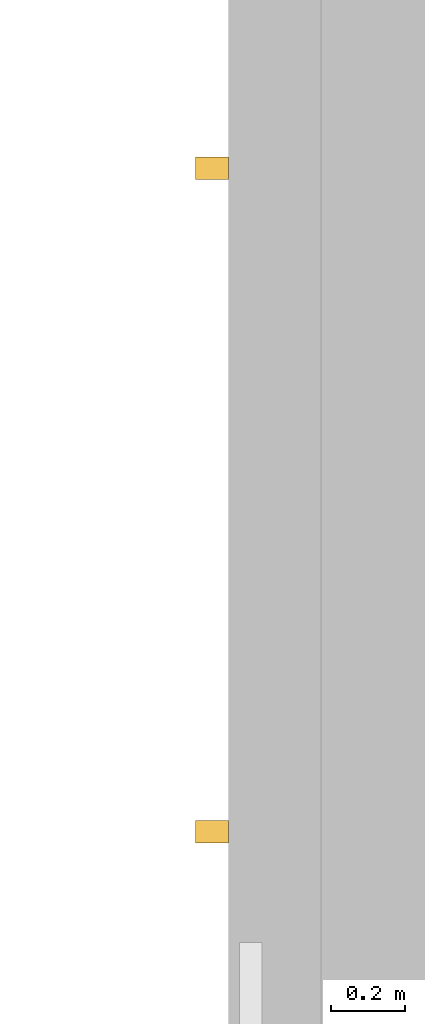
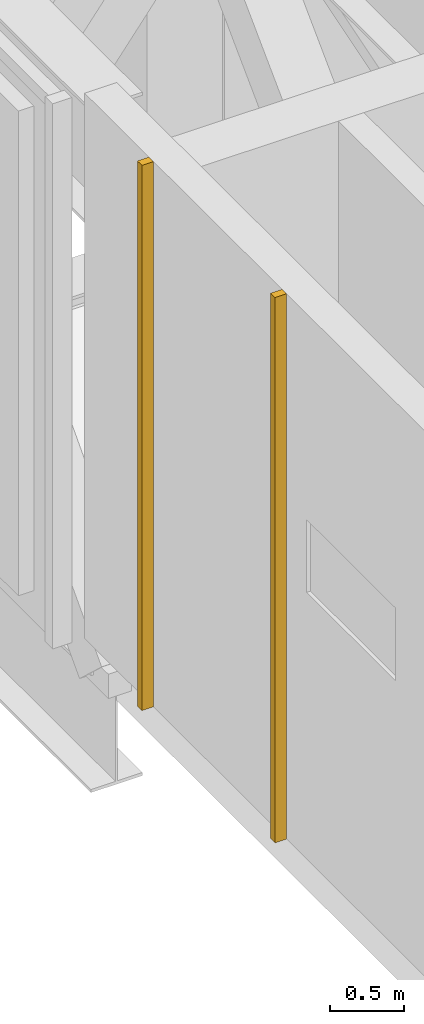
# One storey, part 20 of 26: 2 coverings.
"""IFC4 building model written with IfcOpenShell, lengths in metres."""

import ifcopenshell
import ifcopenshell.guid

model = None  # the IFC model being written
_history = None  # IfcOwnerHistory: only IFC2X3 demands one
_inside = {}  # id of a spatial element -> (the spatial element, [elements in it])
_under = {}  # id of a project, library or spatial element -> (it, [spatial elements below it])
_declared = {}  # id of a project -> (the project, [libraries it declares])
_typed = {}  # id of a type object -> (the type object, [elements of that type])
_made_of = {}  # id of a material, layer set ... -> (it, [elements and type objects made of it])


def new_model(schema):
    """Start an empty IFC model of exactly this schema.

    Asked for "IFC4X3", IfcOpenShell would pick the latest addendum, in which some entities
    have other attributes; the version numbers below select the first issue.
    IFC2X3 requires an IfcOwnerHistory on every rooted entity: one is made here for all.
    """
    global model, _history
    if schema == "IFC4X3":
        model = ifcopenshell.file(schema_version=(4, 3, 0, 0))
    else:
        model = ifcopenshell.file(schema=schema)
    _inside.clear()
    _under.clear()
    _declared.clear()
    _typed.clear()
    _made_of.clear()
    _history = None
    if model.schema == "IFC2X3":
        org = make("IfcOrganization", Name="unknown")
        user = make(
            "IfcPersonAndOrganization",
            ThePerson=make("IfcPerson", FamilyName="unknown"),
            TheOrganization=org,
        )
        app = make(
            "IfcApplication",
            ApplicationDeveloper=org,
            Version="unknown",
            ApplicationFullName="unknown",
            ApplicationIdentifier="unknown",
        )
        _history = make(
            "IfcOwnerHistory",
            OwningUser=user,
            OwningApplication=app,
            ChangeAction="ADDED",
            CreationDate=0,
        )
    return model


def make(cls, **values):
    """One entity of the class cls with the attributes given. An attribute that is None is left unset."""
    return model.create_entity(
        cls, **{name: value for name, value in values.items() if value is not None}
    )


def rooted(cls, **values):
    """An entity with a GlobalId (a new one), such as an element, a storey or a relation."""
    return make(cls, GlobalId=ifcopenshell.guid.new(), OwnerHistory=_history, **values)


def si_unit(unit_type, name, prefix=None):
    """IfcSIUnit, for example si_unit("LENGTHUNIT", "METRE", prefix="MILLI")."""
    return make("IfcSIUnit", UnitType=unit_type, Prefix=prefix, Name=name)


def assignment(units):
    """IfcUnitAssignment: the units of a project."""
    return None if units is None else make("IfcUnitAssignment", Units=units)


def point(xyz):
    """IfcCartesianPoint."""
    return None if xyz is None else make("IfcCartesianPoint", Coordinates=xyz)


def direction(xyz):
    """IfcDirection."""
    return None if xyz is None else make("IfcDirection", DirectionRatios=xyz)


def frame(location, z_axis=None, x_axis=None):
    """IfcAxis2Placement3D, a coordinate frame: its origin and axes. An axis left out is left unset."""
    return make(
        "IfcAxis2Placement3D",
        Location=point(location),
        Axis=direction(z_axis),
        RefDirection=direction(x_axis),
    )


def frame_2d(location, x_axis=None):
    """IfcAxis2Placement2D, a coordinate frame in the plane: its origin and x axis."""
    return make(
        "IfcAxis2Placement2D", Location=point(location), RefDirection=direction(x_axis)
    )


def origin():
    """The frame at (0, 0, 0) with its axes left unset."""
    return frame((0.0, 0.0, 0.0))


def origin_2d():
    """The frame at (0, 0) in the plane with its x axis left unset."""
    return frame_2d((0.0, 0.0))


def place(relative_to, where):
    """IfcLocalPlacement: puts the frame where relative to a parent placement (None: the world)."""
    return make(
        "IfcLocalPlacement", PlacementRelTo=relative_to, RelativePlacement=where
    )


def context(
    kind, dimensions, precision=None, world=None, true_north=None, identifier=None
):
    """IfcGeometricRepresentationContext, for example the 3D "Model" context."""
    return make(
        "IfcGeometricRepresentationContext",
        ContextIdentifier=identifier,
        ContextType=kind,
        CoordinateSpaceDimension=dimensions,
        Precision=precision,
        WorldCoordinateSystem=world,
        TrueNorth=true_north,
    )


def subcontext(parent, identifier, kind, view, scale=None):
    """IfcGeometricRepresentationSubContext, for example "Body" below "Model"."""
    return make(
        "IfcGeometricRepresentationSubContext",
        ContextIdentifier=identifier,
        ContextType=kind,
        ParentContext=parent,
        TargetScale=scale,
        TargetView=view,
    )


def project(units=None, contexts=None):
    """IfcProject with its units and contexts."""
    return rooted(
        "IfcProject",
        Name="project",
        RepresentationContexts=contexts,
        UnitsInContext=assignment(units),
    )


def spatial(cls, under=None, at=None, **own):
    """A site, building, storey or space (cls), placed at a placement, below another one or the project."""
    s = rooted(cls, ObjectPlacement=at, **own)
    if under is not None:
        _under.setdefault(under.id(), (under, []))[1].append(s)
    return s


def profile(cls, at=None, kind="AREA", **sizes):
    """A parametric profile (cls). Its sizes go by their IFC names, for example OverallWidth=200.0."""
    return make(cls, ProfileType=kind, Position=at, **sizes)


def rectangle(**sizes):
    """IfcRectangleProfileDef."""
    return profile("IfcRectangleProfileDef", **sizes)


def extrude(swept, where, along, depth):
    """IfcExtrudedAreaSolid: the profile swept, set in the frame where, extruded along a direction by depth."""
    return make(
        "IfcExtrudedAreaSolid",
        SweptArea=swept,
        Position=where,
        ExtrudedDirection=direction(along),
        Depth=depth,
    )


def shape(context_of_items, identifier, shape_type, items):
    """IfcShapeRepresentation: the items that make up one representation, for example the "Body"."""
    return make(
        "IfcShapeRepresentation",
        ContextOfItems=context_of_items,
        RepresentationIdentifier=identifier,
        RepresentationType=shape_type,
        Items=items,
    )


def material(Name=None, Category=None):
    """IfcMaterial."""
    return make("IfcMaterial", Name=Name, Category=Category)


def made_of(thing, what):
    """Note that an element or type object is made of a material, layer set ...; save() writes the relation."""
    if what is not None:
        _made_of.setdefault(what.id(), (what, []))[1].append(thing)
    return thing


def type_object(cls, material=None, **own):
    """A type object (cls), such as IfcWallType, which elements share."""
    return made_of(rooted(cls, **own), material)


def element(
    cls,
    number,
    at=None,
    inside=None,
    cuts=None,
    type_object=None,
    material=None,
    context=None,
    identifier="Body",
    shape_type=None,
    held_by="IfcProductDefinitionShape",
    body=None,
    shapes=None,
    **own,
):
    """One element of the class cls, such as IfcWall. Its Tag is "e" and its number.

    at: its placement. inside: the storey or other place that contains it. cuts: it is an
    opening in that element (IfcRelVoidsElement). A single representation is given by context,
    identifier, shape_type and body (its items); several are given by shapes. held_by: the class
    of the entity that holds the representations. save() writes the other relations.
    """
    e = rooted(cls, Tag="e%d" % number, ObjectPlacement=at, **own)
    if body is not None:
        shapes = [shape(context, identifier, shape_type, body)]
    if shapes is not None:
        e.Representation = make(held_by, Representations=shapes)
    if inside is not None:
        _inside.setdefault(inside.id(), (inside, []))[1].append(e)
    if cuts is not None:
        rooted(
            "IfcRelVoidsElement", RelatingBuildingElement=cuts, RelatedOpeningElement=e
        )
    if type_object is not None:
        _typed.setdefault(type_object.id(), (type_object, []))[1].append(e)
    return made_of(e, material)


def aggregate(whole, parts):
    """IfcRelAggregates: a whole, such as a stair, and the parts it consists of."""
    return rooted("IfcRelAggregates", RelatingObject=whole, RelatedObjects=parts)


def save(model, path):
    """Write the relations noted so far, then the file.

    IfcRelAggregates (storeys below a building ...), IfcRelContainedInSpatialStructure (elements
    in a storey), IfcRelDefinesByType, IfcRelAssociatesMaterial and IfcRelDeclares: one each for
    every whole, place, type object, material and project.
    """
    for whole, parts in _under.values():
        aggregate(whole, parts)
    for where, things in _inside.values():
        rooted(
            "IfcRelContainedInSpatialStructure",
            RelatedElements=things,
            RelatingStructure=where,
        )
    for kind, things in _typed.values():
        rooted("IfcRelDefinesByType", RelatedObjects=things, RelatingType=kind)
    for what, things in _made_of.values():
        rooted("IfcRelAssociatesMaterial", RelatedObjects=things, RelatingMaterial=what)
    for by, libraries in _declared.values():
        rooted("IfcRelDeclares", RelatingContext=by, RelatedDefinitions=libraries)
    model.write(path)


model = new_model("IFC4")

# Units and contexts
model_context = context("Model", 3, precision=1e-05, world=origin(), true_north=direction((0.0, 1.0)))
body_context = subcontext(model_context, "Body", "Model", "MODEL_VIEW")
ifc_project = project(units=[si_unit("LENGTHUNIT", "METRE"), si_unit("AREAUNIT", "SQUARE_METRE"), si_unit("VOLUMEUNIT", "CUBIC_METRE"), si_unit("PLANEANGLEUNIT", "RADIAN"), si_unit("MASSUNIT", "GRAM", prefix="KILO")], contexts=[model_context])

# Site, building, storey
site_placement = place(None, origin())
site = spatial("IfcSite", under=ifc_project, at=site_placement, CompositionType="ELEMENT")
building_placement = place(site_placement, origin())
building = spatial("IfcBuilding", under=site, at=building_placement, Name="Cobrizo Arcos Hotel Tower", CompositionType="ELEMENT")
storey_placement = place(building_placement, frame((0.0, 0.0, 236.5)))
storey = spatial("IfcBuildingStorey", under=building, at=storey_placement, Name="L62", CompositionType="ELEMENT", Elevation=236.5)

# Coverings
ifc_material = material(Name="Aluminium 6063-T6 anodised pale", Category="aluminium")
covering_type = type_object("IfcCoveringType", Name="RS-1 rainscreen rib 60x90", PredefinedType="CLADDING", material=ifc_material)
for number, where, z_axis, x_axis, name in (
    (1, (-20.695068359375, 9.89990234375, 0.0), (0.0, 0.0, 1.0), (0.0, -1.0, 0.0), "Rainscreen rib 87"),
    (2, (-20.695068359375, 8.10009765625, 0.0), (0.0, 0.0, 1.0), (0.0, -1.0, 0.0), "Rainscreen rib 88"),
):
    element("IfcCovering", number, at=place(storey_placement, frame(where, z_axis=z_axis, x_axis=x_axis)), inside=storey, type_object=covering_type, Name=name, PredefinedType="CLADDING", context=body_context, shape_type="SweptSolid", body=[
        extrude(rectangle(XDim=0.06005859375, YDim=0.090087890625, at=origin_2d()), origin(), (0.0, 0.0, 1.0), 4.5),
    ])

save(model, "model.ifc")
